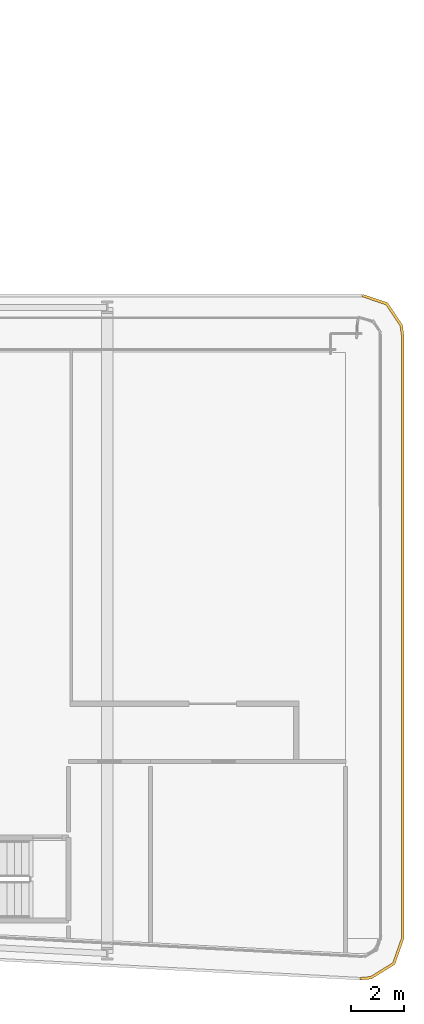
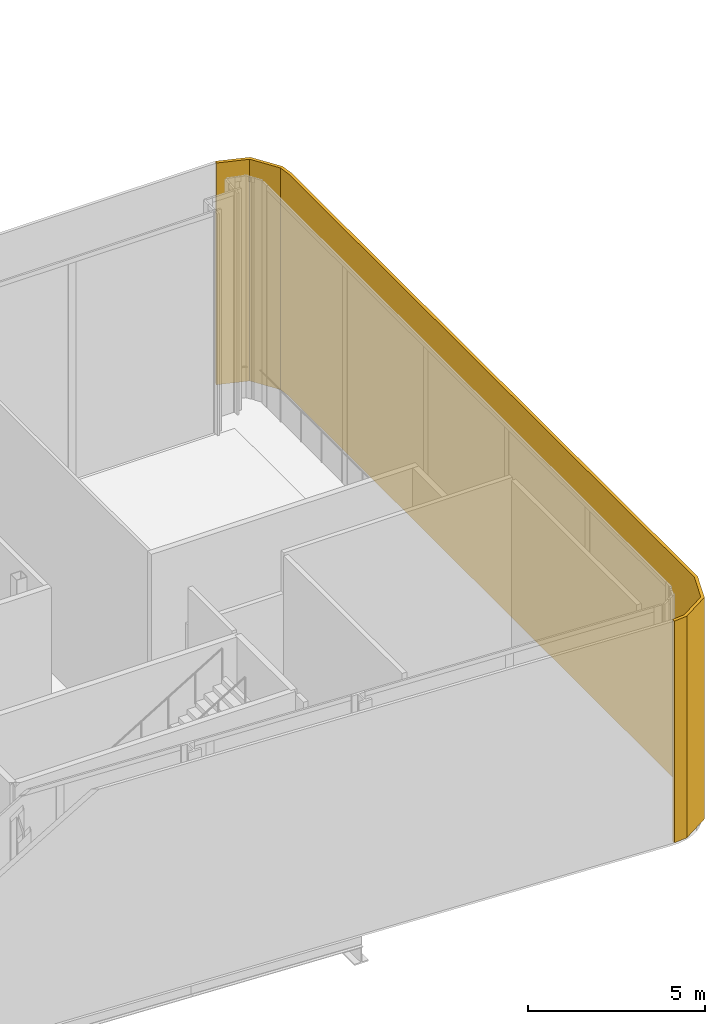
# One storey, part 36 of 36: 1 shading device.
"""IFC4 building model written with IfcOpenShell, lengths in metres."""

from ifc_helpers import new_model, si_unit, direction, frame, origin, place, context, subcontext, project, spatial, polyline, outline, extrude, material, layer, layer_set, type_object, element, save


model = new_model("IFC4")

# Units and contexts
model_context = context("Model", 3, precision=1e-05, world=origin(), true_north=direction((0.0, 1.0)))
body_context = subcontext(model_context, "Body", "Model", "MODEL_VIEW")
ifc_project = project(units=[si_unit("LENGTHUNIT", "METRE"), si_unit("AREAUNIT", "SQUARE_METRE"), si_unit("VOLUMEUNIT", "CUBIC_METRE"), si_unit("PLANEANGLEUNIT", "RADIAN"), si_unit("MASSUNIT", "GRAM", prefix="KILO")], contexts=[model_context])

# Site, building, storey
site_placement = place(None, origin())
site = spatial("IfcSite", under=ifc_project, at=site_placement, CompositionType="ELEMENT")
building_placement = place(site_placement, origin())
building = spatial("IfcBuilding", under=site, at=building_placement, Name="Kheshtan School and Residences Tower", CompositionType="ELEMENT")
storey_placement = place(building_placement, frame((0.0, 0.0, 81.199951171875)))
storey = spatial("IfcBuildingStorey", under=building, at=storey_placement, Name="L19", CompositionType="ELEMENT", Elevation=81.199951171875)

# Shading device
ifc_material = material(Name="Terracotta baguette, extruded ceramic", Category="masonry")
ifc_layer = layer(ifc_material, 0.10009765625)
ifc_layer_set = layer_set([ifc_layer], Name="Ledge screen, terracotta baguettes")
shading_device_type = type_object("IfcShadingDeviceType", Name="Ledge screen, terracotta baguettes", PredefinedType="USERDEFINED", material=ifc_layer_set)
shading_device_placement = place(storey_placement, origin())
element("IfcShadingDevice", 1, at=shading_device_placement, inside=storey, type_object=shading_device_type, Name="Screen L19 4", ObjectType="BAGUETTE", PredefinedType="USERDEFINED", context=body_context, shape_type="SweptSolid", body=[
    extrude(outline(polyline([(100.5, 46.0), (101.4130859375, 45.68994140625), (101.948974609375, 44.887939453125), (102.0, 44.5), (102.0, 21.5810546875), (101.669921875, 20.64208984375), (100.823974609375, 20.116943359375), (100.4208984375, 20.0830078125), (100.428955078125, 19.98291015625), (100.85595703125, 20.01904296875), (101.7529296875, 20.575927734375), (102.10009765625, 21.56396484375), (102.10009765625, 44.507080078125), (102.044921875, 44.924072265625), (101.47705078125, 45.77392578125), (100.531982421875, 46.094970703125), (100.5, 46.0)])), origin(), (0.0, 0.0, 1.0), 7.650146484375),
])

save(model, "model.ifc")
